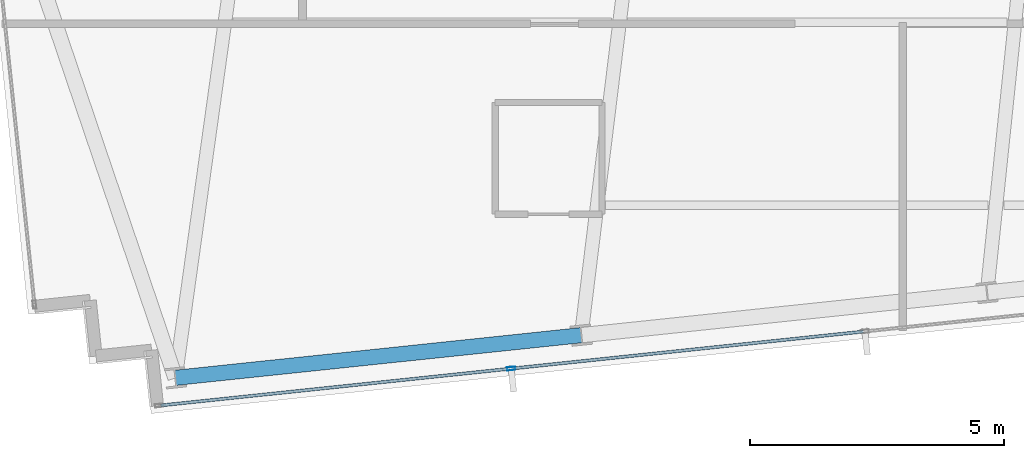
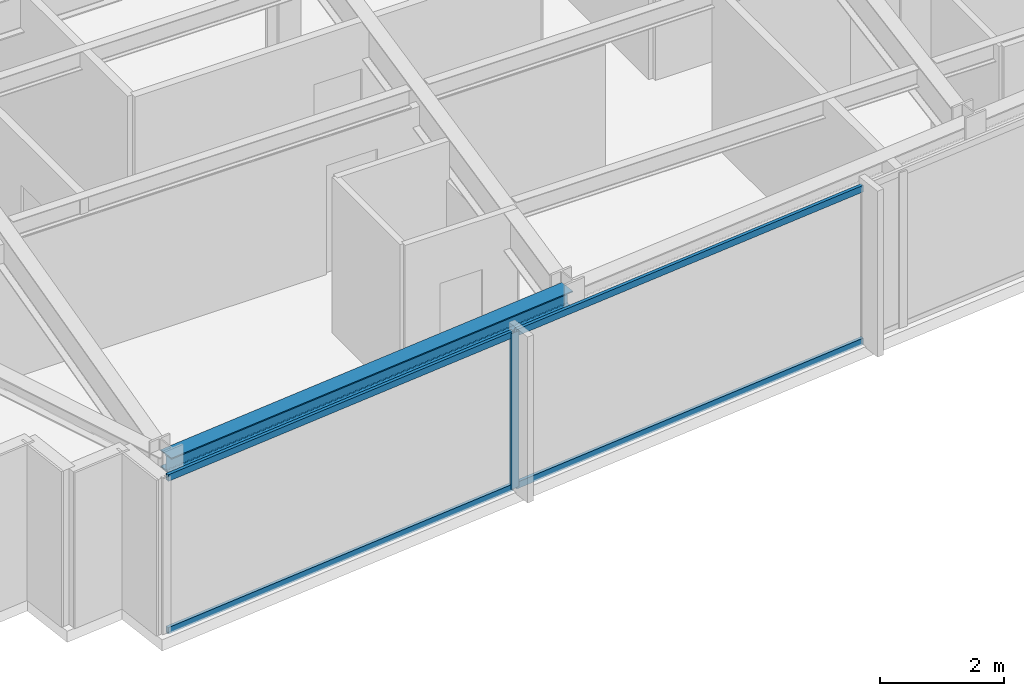
# One storey, part 3 of 32: 5 members, 1 beam, 1 element without a shape of its own.
"""IFC4 building model written with IfcOpenShell, lengths in metres."""

import ifcopenshell
import ifcopenshell.guid

model = None  # the IFC model being written
_history = None  # IfcOwnerHistory: only IFC2X3 demands one
_inside = {}  # id of a spatial element -> (the spatial element, [elements in it])
_under = {}  # id of a project, library or spatial element -> (it, [spatial elements below it])
_declared = {}  # id of a project -> (the project, [libraries it declares])
_typed = {}  # id of a type object -> (the type object, [elements of that type])
_made_of = {}  # id of a material, layer set ... -> (it, [elements and type objects made of it])


def new_model(schema):
    """Start an empty IFC model of exactly this schema.

    Asked for "IFC4X3", IfcOpenShell would pick the latest addendum, in which some entities
    have other attributes; the version numbers below select the first issue.
    IFC2X3 requires an IfcOwnerHistory on every rooted entity: one is made here for all.
    """
    global model, _history
    if schema == "IFC4X3":
        model = ifcopenshell.file(schema_version=(4, 3, 0, 0))
    else:
        model = ifcopenshell.file(schema=schema)
    _inside.clear()
    _under.clear()
    _declared.clear()
    _typed.clear()
    _made_of.clear()
    _history = None
    if model.schema == "IFC2X3":
        org = make("IfcOrganization", Name="unknown")
        user = make(
            "IfcPersonAndOrganization",
            ThePerson=make("IfcPerson", FamilyName="unknown"),
            TheOrganization=org,
        )
        app = make(
            "IfcApplication",
            ApplicationDeveloper=org,
            Version="unknown",
            ApplicationFullName="unknown",
            ApplicationIdentifier="unknown",
        )
        _history = make(
            "IfcOwnerHistory",
            OwningUser=user,
            OwningApplication=app,
            ChangeAction="ADDED",
            CreationDate=0,
        )
    return model


def make(cls, **values):
    """One entity of the class cls with the attributes given. An attribute that is None is left unset."""
    return model.create_entity(
        cls, **{name: value for name, value in values.items() if value is not None}
    )


def rooted(cls, **values):
    """An entity with a GlobalId (a new one), such as an element, a storey or a relation."""
    return make(cls, GlobalId=ifcopenshell.guid.new(), OwnerHistory=_history, **values)


def si_unit(unit_type, name, prefix=None):
    """IfcSIUnit, for example si_unit("LENGTHUNIT", "METRE", prefix="MILLI")."""
    return make("IfcSIUnit", UnitType=unit_type, Prefix=prefix, Name=name)


def assignment(units):
    """IfcUnitAssignment: the units of a project."""
    return None if units is None else make("IfcUnitAssignment", Units=units)


def point(xyz):
    """IfcCartesianPoint."""
    return None if xyz is None else make("IfcCartesianPoint", Coordinates=xyz)


def direction(xyz):
    """IfcDirection."""
    return None if xyz is None else make("IfcDirection", DirectionRatios=xyz)


def frame(location, z_axis=None, x_axis=None):
    """IfcAxis2Placement3D, a coordinate frame: its origin and axes. An axis left out is left unset."""
    return make(
        "IfcAxis2Placement3D",
        Location=point(location),
        Axis=direction(z_axis),
        RefDirection=direction(x_axis),
    )


def frame_2d(location, x_axis=None):
    """IfcAxis2Placement2D, a coordinate frame in the plane: its origin and x axis."""
    return make(
        "IfcAxis2Placement2D", Location=point(location), RefDirection=direction(x_axis)
    )


def origin():
    """The frame at (0, 0, 0) with its axes left unset."""
    return frame((0.0, 0.0, 0.0))


def origin_2d():
    """The frame at (0, 0) in the plane with its x axis left unset."""
    return frame_2d((0.0, 0.0))


def place(relative_to, where):
    """IfcLocalPlacement: puts the frame where relative to a parent placement (None: the world)."""
    return make(
        "IfcLocalPlacement", PlacementRelTo=relative_to, RelativePlacement=where
    )


def context(
    kind, dimensions, precision=None, world=None, true_north=None, identifier=None
):
    """IfcGeometricRepresentationContext, for example the 3D "Model" context."""
    return make(
        "IfcGeometricRepresentationContext",
        ContextIdentifier=identifier,
        ContextType=kind,
        CoordinateSpaceDimension=dimensions,
        Precision=precision,
        WorldCoordinateSystem=world,
        TrueNorth=true_north,
    )


def subcontext(parent, identifier, kind, view, scale=None):
    """IfcGeometricRepresentationSubContext, for example "Body" below "Model"."""
    return make(
        "IfcGeometricRepresentationSubContext",
        ContextIdentifier=identifier,
        ContextType=kind,
        ParentContext=parent,
        TargetScale=scale,
        TargetView=view,
    )


def project(units=None, contexts=None):
    """IfcProject with its units and contexts."""
    return rooted(
        "IfcProject",
        Name="project",
        RepresentationContexts=contexts,
        UnitsInContext=assignment(units),
    )


def spatial(cls, under=None, at=None, **own):
    """A site, building, storey or space (cls), placed at a placement, below another one or the project."""
    s = rooted(cls, ObjectPlacement=at, **own)
    if under is not None:
        _under.setdefault(under.id(), (under, []))[1].append(s)
    return s


def profile(cls, at=None, kind="AREA", **sizes):
    """A parametric profile (cls). Its sizes go by their IFC names, for example OverallWidth=200.0."""
    return make(cls, ProfileType=kind, Position=at, **sizes)


def hollow_rectangle(**sizes):
    """IfcRectangleHollowProfileDef."""
    return profile("IfcRectangleHollowProfileDef", **sizes)


def i_section(**sizes):
    """IfcIShapeProfileDef."""
    return profile("IfcIShapeProfileDef", **sizes)


def extrude(swept, where, along, depth):
    """IfcExtrudedAreaSolid: the profile swept, set in the frame where, extruded along a direction by depth."""
    return make(
        "IfcExtrudedAreaSolid",
        SweptArea=swept,
        Position=where,
        ExtrudedDirection=direction(along),
        Depth=depth,
    )


def shape(context_of_items, identifier, shape_type, items):
    """IfcShapeRepresentation: the items that make up one representation, for example the "Body"."""
    return make(
        "IfcShapeRepresentation",
        ContextOfItems=context_of_items,
        RepresentationIdentifier=identifier,
        RepresentationType=shape_type,
        Items=items,
    )


def material(Name=None, Category=None):
    """IfcMaterial."""
    return make("IfcMaterial", Name=Name, Category=Category)


def material_profile(
    of_material, cross_section, Name=None, Category=None, Priority=None
):
    """IfcMaterialProfile: a cross section and its material."""
    return make(
        "IfcMaterialProfile",
        Name=Name,
        Material=of_material,
        Profile=cross_section,
        Priority=Priority,
        Category=Category,
    )


def profile_set(profiles, Name=None, composite=None):
    """IfcMaterialProfileSet."""
    return make(
        "IfcMaterialProfileSet",
        Name=Name,
        MaterialProfiles=profiles,
        CompositeProfile=composite,
    )


def made_of(thing, what):
    """Note that an element or type object is made of a material, layer set ...; save() writes the relation."""
    if what is not None:
        _made_of.setdefault(what.id(), (what, []))[1].append(thing)
    return thing


def type_object(cls, material=None, **own):
    """A type object (cls), such as IfcWallType, which elements share."""
    return made_of(rooted(cls, **own), material)


def element(
    cls,
    number,
    at=None,
    inside=None,
    cuts=None,
    type_object=None,
    material=None,
    context=None,
    identifier="Body",
    shape_type=None,
    held_by="IfcProductDefinitionShape",
    body=None,
    shapes=None,
    **own,
):
    """One element of the class cls, such as IfcWall. Its Tag is "e" and its number.

    at: its placement. inside: the storey or other place that contains it. cuts: it is an
    opening in that element (IfcRelVoidsElement). A single representation is given by context,
    identifier, shape_type and body (its items); several are given by shapes. held_by: the class
    of the entity that holds the representations. save() writes the other relations.
    """
    e = rooted(cls, Tag="e%d" % number, ObjectPlacement=at, **own)
    if body is not None:
        shapes = [shape(context, identifier, shape_type, body)]
    if shapes is not None:
        e.Representation = make(held_by, Representations=shapes)
    if inside is not None:
        _inside.setdefault(inside.id(), (inside, []))[1].append(e)
    if cuts is not None:
        rooted(
            "IfcRelVoidsElement", RelatingBuildingElement=cuts, RelatedOpeningElement=e
        )
    if type_object is not None:
        _typed.setdefault(type_object.id(), (type_object, []))[1].append(e)
    return made_of(e, material)


def aggregate(whole, parts):
    """IfcRelAggregates: a whole, such as a stair, and the parts it consists of."""
    return rooted("IfcRelAggregates", RelatingObject=whole, RelatedObjects=parts)


def save(model, path):
    """Write the relations noted so far, then the file.

    IfcRelAggregates (storeys below a building ...), IfcRelContainedInSpatialStructure (elements
    in a storey), IfcRelDefinesByType, IfcRelAssociatesMaterial and IfcRelDeclares: one each for
    every whole, place, type object, material and project.
    """
    for whole, parts in _under.values():
        aggregate(whole, parts)
    for where, things in _inside.values():
        rooted(
            "IfcRelContainedInSpatialStructure",
            RelatedElements=things,
            RelatingStructure=where,
        )
    for kind, things in _typed.values():
        rooted("IfcRelDefinesByType", RelatedObjects=things, RelatingType=kind)
    for what, things in _made_of.values():
        rooted("IfcRelAssociatesMaterial", RelatedObjects=things, RelatingMaterial=what)
    for by, libraries in _declared.values():
        rooted("IfcRelDeclares", RelatingContext=by, RelatedDefinitions=libraries)
    model.write(path)


model = new_model("IFC4")

# Units and contexts
model_context = context("Model", 3, precision=1e-05, world=origin(), true_north=direction((0.0, 1.0)))
body_context = subcontext(model_context, "Body", "Model", "MODEL_VIEW")
ifc_project = project(units=[si_unit("LENGTHUNIT", "METRE"), si_unit("AREAUNIT", "SQUARE_METRE"), si_unit("VOLUMEUNIT", "CUBIC_METRE"), si_unit("PLANEANGLEUNIT", "RADIAN"), si_unit("MASSUNIT", "GRAM", prefix="KILO")], contexts=[model_context])

# Site, building, storey
site_placement = place(None, origin())
site = spatial("IfcSite", under=ifc_project, at=site_placement, CompositionType="ELEMENT")
building_placement = place(site_placement, origin())
building = spatial("IfcBuilding", under=site, at=building_placement, Name="Yelkora Congress Tower", CompositionType="ELEMENT")
storey_placement = place(building_placement, frame((0.0, 0.0, 211.10009765625)))
storey = spatial("IfcBuildingStorey", under=building, at=storey_placement, Name="L58", CompositionType="ELEMENT", Elevation=211.10009765625)

# Beam
ifc_material_1 = material(Name="Steel S355J2", Category="steel")
ifc_material_profile_1 = material_profile(ifc_material_1, i_section(OverallWidth=0.300048828125, OverallDepth=0.340087890625, WebThickness=0.011962890625, FlangeThickness=0.021484375, FilletRadius=0.027099609375, at=origin_2d()), Name="HEB 340")
ifc_profile_set_1 = profile_set([ifc_material_profile_1], Name="Steel S355J2")
beam_type = type_object("IfcBeamType", Name="BM-SPAN-HEB340", PredefinedType="SPANDREL", material=ifc_profile_set_1)
beam_placement = place(storey_placement, frame((21.299072265625, 12.678466796875, 2.909912109375), z_axis=(0.994520097542, 0.104545567032, 0.0), x_axis=(-0.104545567032, 0.994520097542, 0.0)))
element("IfcBeam", 1, at=beam_placement, inside=storey, type_object=beam_type, Name="L58 Perimeter Beam 3", PredefinedType="SPANDREL", context=body_context, shape_type="SweptSolid", body=[
    extrude(i_section(OverallWidth=0.300048828125, OverallDepth=0.340087890625, WebThickness=0.011962890625, FlangeThickness=0.021484375, FilletRadius=0.027099609375, at=origin_2d()), origin(), (0.0, 0.0, 1.0), 8.033203125),
])

# Curtain wall, members
ifc_material_2 = material(Name="Anodised aluminium and insulated glass", Category="aluminium")
curtain_wall_type = type_object("IfcCurtainWallType", Name="CW-SYS-B4", PredefinedType="NOTDEFINED", material=ifc_material_2)
curtain_wall_placement = place(storey_placement, origin())
curtain_wall = element("IfcCurtainWall", 2, at=curtain_wall_placement, inside=storey, type_object=curtain_wall_type, Name="L58 Unitised Curtain Wall 20", PredefinedType="NOTDEFINED")
ifc_material_3 = material(Name="Anodised aluminium 6063-T6", Category="aluminium")
ifc_material_profile_2 = material_profile(ifc_material_3, hollow_rectangle(XDim=0.06494140625, YDim=0.159912109375, WallThickness=0.00390625, at=origin_2d()), Name="ALU 65x160x4")
ifc_profile_set_2 = profile_set([ifc_material_profile_2], Name="Anodised aluminium 6063-T6")
member_type_1 = type_object("IfcMemberType", Name="MEM-ML-B4", PredefinedType="MULLION", material=ifc_profile_set_2)
member_1_placement = place(storey_placement, frame((27.9091796875, 12.860595703125, 0.0), z_axis=(0.0, 0.0, 1.0), x_axis=(0.104526664994, -0.994522084373, 0.0)))
member_1 = element("IfcMember", 3, at=member_1_placement, type_object=member_type_1, Name="CW-B4 mullion 7", PredefinedType="MULLION", context=body_context, shape_type="SweptSolid", body=[
    extrude(hollow_rectangle(XDim=0.06494140625, YDim=0.159912109375, WallThickness=0.00390625, at=origin_2d()), origin(), (0.0, 0.0, 1.0), 3.079833984375),
])
ifc_material_profile_3 = material_profile(ifc_material_3, hollow_rectangle(XDim=0.06005859375, YDim=0.1298828125, WallThickness=0.00390625, at=origin_2d()), Name="ALU 60x130x4")
ifc_profile_set_3 = profile_set([ifc_material_profile_3], Name="Anodised aluminium 6063-T6")
member_type_2 = type_object("IfcMemberType", Name="MEM-TR-B4", PredefinedType="USERDEFINED", material=ifc_profile_set_3)
member_2_placement = place(storey_placement, frame((34.84130859375, 13.589111328125, 0.02978515625), z_axis=(-0.994519904787, -0.104547400648, 0.0), x_axis=(0.104547400648, -0.994519904787, 0.0)))
member_2 = element("IfcMember", 4, at=member_2_placement, type_object=member_type_2, Name="CW-B4 transom 6.1", ObjectType="TRANSOM", PredefinedType="USERDEFINED", context=body_context, shape_type="SweptSolid", body=[
    extrude(hollow_rectangle(XDim=0.06005859375, YDim=0.1298828125, WallThickness=0.00390625, at=origin_2d()), origin(), (0.0, 0.0, 1.0), 6.93798828125),
])
member_3_placement = place(storey_placement, frame((34.84130859375, 13.589111328125, 3.0498046875), z_axis=(-0.994519904787, -0.104547400648, 0.0), x_axis=(0.104547400648, -0.994519904787, 0.0)))
member_3 = element("IfcMember", 5, at=member_3_placement, type_object=member_type_2, Name="CW-B4 transom 6.2", ObjectType="TRANSOM", PredefinedType="USERDEFINED", context=body_context, shape_type="SweptSolid", body=[
    extrude(hollow_rectangle(XDim=0.06005859375, YDim=0.1298828125, WallThickness=0.00390625, at=origin_2d()), origin(), (0.0, 0.0, 1.0), 6.93798828125),
])
member_4_placement = place(storey_placement, frame((27.876708984375, 12.857177734375, 0.02978515625), z_axis=(-0.994519973075, -0.104546751053, 0.0), x_axis=(0.104546751053, -0.994519973075, 0.0)))
member_4 = element("IfcMember", 6, at=member_4_placement, type_object=member_type_2, Name="CW-B4 transom 7.1", ObjectType="TRANSOM", PredefinedType="USERDEFINED", context=body_context, shape_type="SweptSolid", body=[
    extrude(hollow_rectangle(XDim=0.06005859375, YDim=0.1298828125, WallThickness=0.00390625, at=origin_2d()), origin(), (0.0, 0.0, 1.0), 6.9052734375),
])
member_5_placement = place(storey_placement, frame((27.876708984375, 12.857177734375, 3.0498046875), z_axis=(-0.994519973075, -0.104546751053, 0.0), x_axis=(0.104546751053, -0.994519973075, 0.0)))
member_5 = element("IfcMember", 7, at=member_5_placement, type_object=member_type_2, Name="CW-B4 transom 7.2", ObjectType="TRANSOM", PredefinedType="USERDEFINED", context=body_context, shape_type="SweptSolid", body=[
    extrude(hollow_rectangle(XDim=0.06005859375, YDim=0.1298828125, WallThickness=0.00390625, at=origin_2d()), origin(), (0.0, 0.0, 1.0), 6.9052734375),
])
aggregate(curtain_wall, [member_1, member_2, member_3, member_4, member_5])

save(model, "model.ifc")
